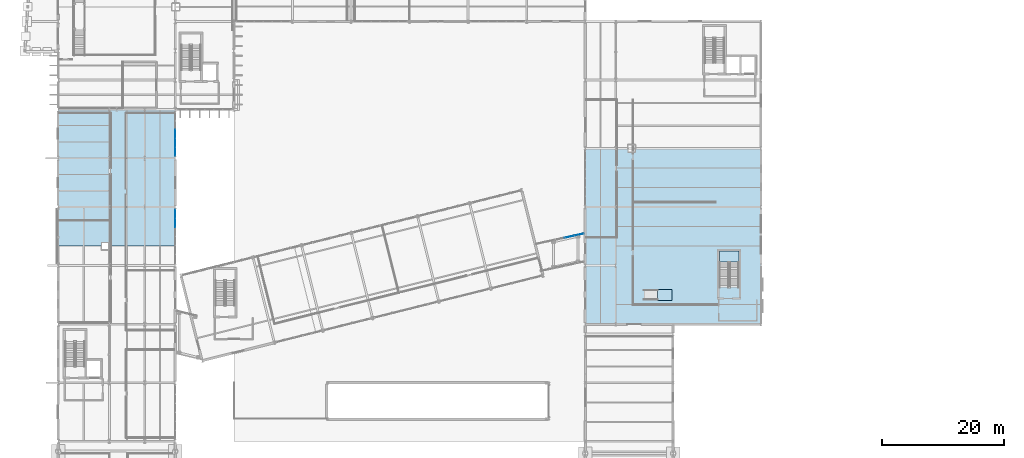
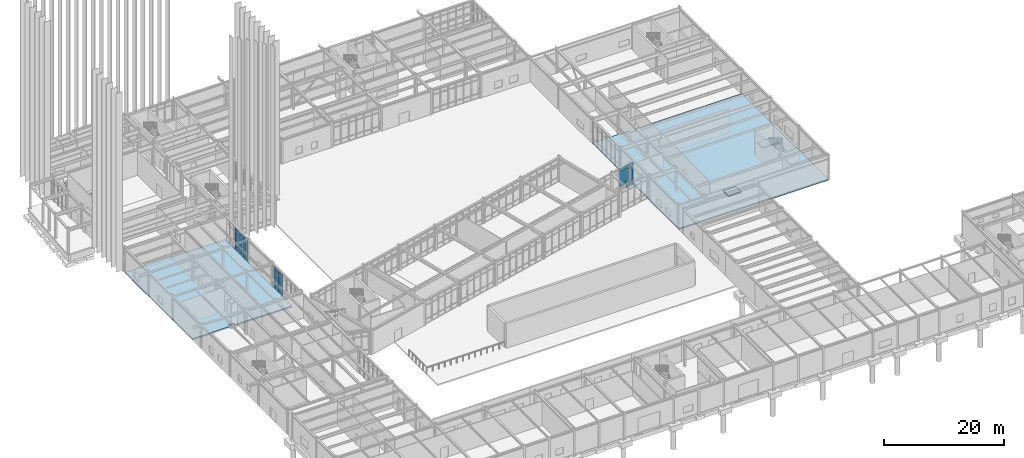
# One storey, part 71 of 109: 20 plates, 4 slabs, 4 elements without a shape of their own.
"""IFC4 building model written with IfcOpenShell, lengths in metres."""

from ifc_helpers import new_model, si_unit, direction, frame, origin, origin_2d, place, context, subcontext, project, spatial, polyline, rectangle, outline, extrude, material, layer, layer_set, type_object, element, aggregate, save


model = new_model("IFC4")

# Units and contexts
model_context = context("Model", 3, precision=1e-05, world=origin(), true_north=direction((0.0, 1.0)))
body_context = subcontext(model_context, "Body", "Model", "MODEL_VIEW")
ifc_project = project(units=[si_unit("LENGTHUNIT", "METRE"), si_unit("AREAUNIT", "SQUARE_METRE"), si_unit("VOLUMEUNIT", "CUBIC_METRE"), si_unit("PLANEANGLEUNIT", "RADIAN"), si_unit("MASSUNIT", "GRAM", prefix="KILO")], contexts=[model_context])

# Site, building, storey
site_placement = place(None, origin())
site = spatial("IfcSite", under=ifc_project, at=site_placement, CompositionType="ELEMENT")
building_placement = place(site_placement, origin())
building = spatial("IfcBuilding", under=site, at=building_placement, Name="Nordkorset Police Headquarters", CompositionType="ELEMENT")
storey_placement = place(building_placement, origin())
storey = spatial("IfcBuildingStorey", under=building, at=storey_placement, Name="L00", CompositionType="ELEMENT", Elevation=0.0)

# Curtain wall, plates
ifc_material_1 = material(Name="Aluminium alloy AW-6060", Category="aluminium")
ifc_layer_1 = layer(ifc_material_1, 0.179931640625, Name="Aluminium alloy AW-6060")
ifc_layer_set_1 = layer_set([ifc_layer_1], Name="Aluminium alloy AW-6060")
curtain_wall_type_1 = type_object("IfcCurtainWallType", Name="CW_Unit_888x454", PredefinedType="USERDEFINED", material=ifc_layer_set_1)
curtain_wall_1_placement = place(storey_placement, origin())
curtain_wall_1 = element("IfcCurtainWall", 1, at=curtain_wall_1_placement, inside=storey, type_object=curtain_wall_type_1, Name="Unitised Curtain Wall L00 V3E-3", ObjectType="UNITISED CURTAIN WALL", PredefinedType="USERDEFINED")
ifc_material_2 = material(Name="Low-iron triple glazing", Category="glass")
ifc_layer_2 = layer(ifc_material_2, 0.035888671875, Name="Low-iron triple glazing")
ifc_layer_set_2 = layer_set([ifc_layer_2], Name="Low-iron triple glazing")
plate_type = type_object("IfcPlateType", Name="CW_Panel_TripleGlazing_36", PredefinedType="CURTAIN_PANEL", material=ifc_layer_set_2)
plate_1_placement = place(storey_placement, frame((19.199951171875, 64.6201171875, 0.06494140625), z_axis=(0.0, 0.0, 1.0), x_axis=(0.0, 1.0, 0.0)))
plate_1 = element("IfcPlate", 2, at=plate_1_placement, type_object=plate_type, Name="CW-82 panel 5.1", PredefinedType="CURTAIN_PANEL", context=body_context, shape_type="SweptSolid", body=[
    extrude(rectangle(XDim=1.4150390625, YDim=0.035888671875, at=origin_2d()), origin(), (0.0, 0.0, 1.0), 0.902587890625),
])
plate_2_placement = place(storey_placement, frame((19.199951171875, 64.6201171875, 1.032470703125), z_axis=(0.0, 0.0, 1.0), x_axis=(0.0, 1.0, 0.0)))
plate_2 = element("IfcPlate", 3, at=plate_2_placement, type_object=plate_type, Name="CW-82 panel 5.2", PredefinedType="CURTAIN_PANEL", context=body_context, shape_type="SweptSolid", body=[
    extrude(rectangle(XDim=1.4150390625, YDim=0.035888671875, at=origin_2d()), origin(), (0.0, 0.0, 1.0), 2.625),
])
plate_3_placement = place(storey_placement, frame((19.199951171875, 64.6201171875, 3.722412109375), z_axis=(0.0, 0.0, 1.0), x_axis=(0.0, 1.0, 0.0)))
plate_3 = element("IfcPlate", 4, at=plate_3_placement, type_object=plate_type, Name="CW-82 panel 5.3", PredefinedType="CURTAIN_PANEL", context=body_context, shape_type="SweptSolid", body=[
    extrude(rectangle(XDim=1.4150390625, YDim=0.035888671875, at=origin_2d()), origin(), (0.0, 0.0, 1.0), 0.75244140625),
])
plate_4_placement = place(storey_placement, frame((19.199951171875, 66.083740234375, 0.06494140625), z_axis=(0.0, 0.0, 1.0), x_axis=(0.0, 1.0, 0.0)))
plate_4 = element("IfcPlate", 5, at=plate_4_placement, type_object=plate_type, Name="CW-82 panel 6.1", PredefinedType="CURTAIN_PANEL", context=body_context, shape_type="SweptSolid", body=[
    extrude(rectangle(XDim=1.382568359375, YDim=0.035888671875, at=origin_2d()), origin(), (0.0, 0.0, 1.0), 0.902587890625),
])
plate_5_placement = place(storey_placement, frame((19.199951171875, 66.083740234375, 1.032470703125), z_axis=(0.0, 0.0, 1.0), x_axis=(0.0, 1.0, 0.0)))
plate_5 = element("IfcPlate", 6, at=plate_5_placement, type_object=plate_type, Name="CW-82 panel 6.2", PredefinedType="CURTAIN_PANEL", context=body_context, shape_type="SweptSolid", body=[
    extrude(rectangle(XDim=1.382568359375, YDim=0.035888671875, at=origin_2d()), origin(), (0.0, 0.0, 1.0), 2.625),
])
plate_6_placement = place(storey_placement, frame((19.199951171875, 66.083740234375, 3.722412109375), z_axis=(0.0, 0.0, 1.0), x_axis=(0.0, 1.0, 0.0)))
plate_6 = element("IfcPlate", 7, at=plate_6_placement, type_object=plate_type, Name="CW-82 panel 6.3", PredefinedType="CURTAIN_PANEL", context=body_context, shape_type="SweptSolid", body=[
    extrude(rectangle(XDim=1.382568359375, YDim=0.035888671875, at=origin_2d()), origin(), (0.0, 0.0, 1.0), 0.75244140625),
])
aggregate(curtain_wall_1, [plate_1, plate_2, plate_3, plate_4, plate_5, plate_6])

ifc_material_3 = material(Name="Aluminium alloy AW-6060", Category="aluminium")
ifc_layer_3 = layer(ifc_material_3, 0.179931640625, Name="Aluminium alloy AW-6060")
ifc_layer_set_3 = layer_set([ifc_layer_3], Name="Aluminium alloy AW-6060")
curtain_wall_type_2 = type_object("IfcCurtainWallType", Name="CW_Unit_728x454", PredefinedType="USERDEFINED", material=ifc_layer_set_3)
curtain_wall_2_placement = place(storey_placement, origin())
curtain_wall_2 = element("IfcCurtainWall", 8, at=curtain_wall_2_placement, inside=storey, type_object=curtain_wall_type_2, Name="Unitised Curtain Wall L00 V3E-5", ObjectType="UNITISED CURTAIN WALL", PredefinedType="USERDEFINED")
plate_7_placement = place(storey_placement, frame((19.199951171875, 76.30419921875, 0.06494140625), z_axis=(0.0, 0.0, 1.0), x_axis=(0.0, 1.0, 0.0)))
plate_7 = element("IfcPlate", 9, at=plate_7_placement, type_object=plate_type, Name="CW-50 panel 1.1", PredefinedType="CURTAIN_PANEL", context=body_context, shape_type="SweptSolid", body=[
    extrude(rectangle(XDim=1.3583984375, YDim=0.035888671875, at=origin_2d()), origin(), (0.0, 0.0, 1.0), 0.902587890625),
])
plate_8_placement = place(storey_placement, frame((19.199951171875, 76.30419921875, 1.032470703125), z_axis=(0.0, 0.0, 1.0), x_axis=(0.0, 1.0, 0.0)))
plate_8 = element("IfcPlate", 10, at=plate_8_placement, type_object=plate_type, Name="CW-50 panel 1.2", PredefinedType="CURTAIN_PANEL", context=body_context, shape_type="SweptSolid", body=[
    extrude(rectangle(XDim=1.3583984375, YDim=0.035888671875, at=origin_2d()), origin(), (0.0, 0.0, 1.0), 2.625),
])
plate_9_placement = place(storey_placement, frame((19.199951171875, 76.30419921875, 3.722412109375), z_axis=(0.0, 0.0, 1.0), x_axis=(0.0, 1.0, 0.0)))
plate_9 = element("IfcPlate", 11, at=plate_9_placement, type_object=plate_type, Name="CW-50 panel 1.3", PredefinedType="CURTAIN_PANEL", context=body_context, shape_type="SweptSolid", body=[
    extrude(rectangle(XDim=1.3583984375, YDim=0.035888671875, at=origin_2d()), origin(), (0.0, 0.0, 1.0), 0.75244140625),
])
plate_10_placement = place(storey_placement, frame((19.199951171875, 77.743896484375, 0.06494140625), z_axis=(0.0, 0.0, 1.0), x_axis=(0.0, 1.0, 0.0)))
plate_10 = element("IfcPlate", 12, at=plate_10_placement, type_object=plate_type, Name="CW-50 panel 2.1", PredefinedType="CURTAIN_PANEL", context=body_context, shape_type="SweptSolid", body=[
    extrude(rectangle(XDim=1.39111328125, YDim=0.035888671875, at=origin_2d()), origin(), (0.0, 0.0, 1.0), 0.902587890625),
])
plate_11_placement = place(storey_placement, frame((19.199951171875, 77.743896484375, 1.032470703125), z_axis=(0.0, 0.0, 1.0), x_axis=(0.0, 1.0, 0.0)))
plate_11 = element("IfcPlate", 13, at=plate_11_placement, type_object=plate_type, Name="CW-50 panel 2.2", PredefinedType="CURTAIN_PANEL", context=body_context, shape_type="SweptSolid", body=[
    extrude(rectangle(XDim=1.39111328125, YDim=0.035888671875, at=origin_2d()), origin(), (0.0, 0.0, 1.0), 2.625),
])
plate_12_placement = place(storey_placement, frame((19.199951171875, 77.743896484375, 3.722412109375), z_axis=(0.0, 0.0, 1.0), x_axis=(0.0, 1.0, 0.0)))
plate_12 = element("IfcPlate", 14, at=plate_12_placement, type_object=plate_type, Name="CW-50 panel 2.3", PredefinedType="CURTAIN_PANEL", context=body_context, shape_type="SweptSolid", body=[
    extrude(rectangle(XDim=1.39111328125, YDim=0.035888671875, at=origin_2d()), origin(), (0.0, 0.0, 1.0), 0.75244140625),
])
plate_13_placement = place(storey_placement, frame((19.199951171875, 79.199951171875, 0.06494140625), z_axis=(0.0, 0.0, 1.0), x_axis=(0.0, 1.0, 0.0)))
plate_13 = element("IfcPlate", 15, at=plate_13_placement, type_object=plate_type, Name="CW-50 panel 3.1", PredefinedType="CURTAIN_PANEL", context=body_context, shape_type="SweptSolid", body=[
    extrude(rectangle(XDim=1.39111328125, YDim=0.035888671875, at=origin_2d()), origin(), (0.0, 0.0, 1.0), 0.902587890625),
])
plate_14_placement = place(storey_placement, frame((19.199951171875, 79.199951171875, 1.032470703125), z_axis=(0.0, 0.0, 1.0), x_axis=(0.0, 1.0, 0.0)))
plate_14 = element("IfcPlate", 16, at=plate_14_placement, type_object=plate_type, Name="CW-50 panel 3.2", PredefinedType="CURTAIN_PANEL", context=body_context, shape_type="SweptSolid", body=[
    extrude(rectangle(XDim=1.39111328125, YDim=0.035888671875, at=origin_2d()), origin(), (0.0, 0.0, 1.0), 2.625),
])
plate_15_placement = place(storey_placement, frame((19.199951171875, 79.199951171875, 3.722412109375), z_axis=(0.0, 0.0, 1.0), x_axis=(0.0, 1.0, 0.0)))
plate_15 = element("IfcPlate", 17, at=plate_15_placement, type_object=plate_type, Name="CW-50 panel 3.3", PredefinedType="CURTAIN_PANEL", context=body_context, shape_type="SweptSolid", body=[
    extrude(rectangle(XDim=1.39111328125, YDim=0.035888671875, at=origin_2d()), origin(), (0.0, 0.0, 1.0), 0.75244140625),
])
aggregate(curtain_wall_2, [plate_7, plate_8, plate_9, plate_10, plate_11, plate_12, plate_13, plate_14, plate_15])

ifc_material_4 = material(Name="Aluminium alloy AW-6060", Category="aluminium")
ifc_layer_4 = layer(ifc_material_4, 0.179931640625, Name="Aluminium alloy AW-6060")
ifc_layer_set_4 = layer_set([ifc_layer_4], Name="Aluminium alloy AW-6060")
curtain_wall_type_3 = type_object("IfcCurtainWallType", Name="CW_Unit_809x468", PredefinedType="USERDEFINED", material=ifc_layer_set_4)
curtain_wall_3_placement = place(storey_placement, origin())
curtain_wall_3 = element("IfcCurtainWall", 18, at=curtain_wall_3_placement, inside=storey, type_object=curtain_wall_type_3, Name="Unitised Curtain Wall L00 BRGE-N", ObjectType="UNITISED CURTAIN WALL", PredefinedType="USERDEFINED")
plate_16_placement = place(storey_placement, frame((83.8046875, 62.33154296875, 1.032470703125), z_axis=(0.0, 0.0, 1.0), x_axis=(0.976768327939, 0.214298001706, 0.0)))
plate_16 = element("IfcPlate", 19, at=plate_16_placement, type_object=plate_type, Name="CW-59 panel 4.2", PredefinedType="CURTAIN_PANEL", context=body_context, shape_type="SweptSolid", body=[
    extrude(rectangle(XDim=1.55224609375, YDim=0.035888671875, at=origin_2d()), origin(), (0.0, 0.0, 1.0), 2.77001953125),
])
plate_17_placement = place(storey_placement, frame((83.8046875, 62.33154296875, 3.867431640625), z_axis=(0.0, 0.0, 1.0), x_axis=(0.976768327939, 0.214298001706, 0.0)))
plate_17 = element("IfcPlate", 20, at=plate_17_placement, type_object=plate_type, Name="CW-59 panel 4.3", PredefinedType="CURTAIN_PANEL", context=body_context, shape_type="SweptSolid", body=[
    extrude(rectangle(XDim=1.55224609375, YDim=0.035888671875, at=origin_2d()), origin(), (0.0, 0.0, 1.0), 0.75244140625),
])
plate_18_placement = place(storey_placement, frame((85.368408203125, 62.674560546875, 0.06494140625), z_axis=(0.0, 0.0, 1.0), x_axis=(0.976768327939, 0.214298001706, 0.0)))
plate_18 = element("IfcPlate", 21, at=plate_18_placement, type_object=plate_type, Name="CW-59 panel 5.1", PredefinedType="CURTAIN_PANEL", context=body_context, shape_type="SweptSolid", body=[
    extrude(rectangle(XDim=1.519775390625, YDim=0.035888671875, at=origin_2d()), origin(), (0.0, 0.0, 1.0), 0.902587890625),
])
plate_19_placement = place(storey_placement, frame((85.368408203125, 62.674560546875, 1.032470703125), z_axis=(0.0, 0.0, 1.0), x_axis=(0.976768327939, 0.214298001706, 0.0)))
plate_19 = element("IfcPlate", 22, at=plate_19_placement, type_object=plate_type, Name="CW-59 panel 5.2", PredefinedType="CURTAIN_PANEL", context=body_context, shape_type="SweptSolid", body=[
    extrude(rectangle(XDim=1.519775390625, YDim=0.035888671875, at=origin_2d()), origin(), (0.0, 0.0, 1.0), 2.77001953125),
])
plate_20_placement = place(storey_placement, frame((85.368408203125, 62.674560546875, 3.867431640625), z_axis=(0.0, 0.0, 1.0), x_axis=(0.976768327939, 0.214298001706, 0.0)))
plate_20 = element("IfcPlate", 23, at=plate_20_placement, type_object=plate_type, Name="CW-59 panel 5.3", PredefinedType="CURTAIN_PANEL", context=body_context, shape_type="SweptSolid", body=[
    extrude(rectangle(XDim=1.519775390625, YDim=0.035888671875, at=origin_2d()), origin(), (0.0, 0.0, 1.0), 0.75244140625),
])
aggregate(curtain_wall_3, [plate_16, plate_17, plate_18, plate_19, plate_20])

# Slabs
ifc_material_5 = material(Name="Concrete C35/45", Category="concrete")
ifc_layer_5 = layer(ifc_material_5, 0.199951171875, Name="Concrete C35/45")
ifc_layer_set_5 = layer_set([ifc_layer_5], Name="Concrete C35/45")
slab_type_1 = type_object("IfcSlabType", Name="Slab_DaisPlatform_200", PredefinedType="LANDING", material=ifc_layer_set_5)
slab_1_placement = place(storey_placement, frame((0.0, 0.0, -0.06005859375)))
element("IfcSlab", 24, at=slab_1_placement, inside=storey, type_object=slab_type_1, Name="Patrol Briefing Dais Ramp Dais Landing", PredefinedType="LANDING", context=body_context, shape_type="SweptSolid", body=[
    extrude(outline(polyline([(98.22998046875, 51.89990234375), (100.639892578125, 51.89990234375), (100.639892578125, 53.699951171875), (98.22998046875, 53.699951171875), (98.22998046875, 51.89990234375)])), origin(), (0.0, 0.0, 1.0), 0.199951171875),
])
ifc_material_6 = material(Name="Concrete C35/45", Category="concrete")
ifc_layer_6 = layer(ifc_material_6, 0.27001953125, Name="Concrete C35/45")
ifc_layer_set_6 = layer_set([ifc_layer_6], Name="Concrete C35/45")
slab_type_2 = type_object("IfcSlabType", Name="Slab_Ground_270", PredefinedType="FLOOR", material=ifc_layer_set_6)
slab_2_placement = place(storey_placement, frame((0.0, 0.0, -0.27001953125)))
element("IfcSlab", 25, at=slab_2_placement, inside=storey, type_object=slab_type_2, Name="Composite Floor Slab V3 North L00", PredefinedType="FLOOR", context=body_context, shape_type="SweptSolid", body=[
    extrude(outline(polyline([(0.0, 60.802001953125), (7.199951171875, 60.802001953125), (7.199951171875, 61.300048828125), (8.199951171875, 61.300048828125), (8.199951171875, 60.802001953125), (19.199951171875, 60.802001953125), (19.199951171875, 83.197998046875), (0.0, 83.197998046875), (0.0, 60.802001953125)])), origin(), (0.0, 0.0, 1.0), 0.27001953125),
])
slab_3_placement = place(storey_placement, frame((0.0, 0.0, -0.27001953125)))
element("IfcSlab", 26, at=slab_3_placement, inside=storey, type_object=slab_type_2, Name="Composite Floor Slab V5 South L00", PredefinedType="FLOOR", context=body_context, shape_type="SweptSolid", body=[
    extrude(outline(polyline([(86.405029296875, 48.0), (115.199951171875, 48.0), (115.199951171875, 76.800048828125), (94.5, 76.800048828125), (94.5, 76.300048828125), (93.5, 76.300048828125), (93.5, 76.800048828125), (86.405029296875, 76.800048828125), (86.405029296875, 48.0)])), origin(), (0.0, 0.0, 1.0), 0.27001953125),
])

# Stair, slab
ifc_material_7 = material(Name="Concrete C35/45", Category="concrete")
stair_type = type_object("IfcStairType", Name="ST-52", PredefinedType="HALF_TURN_STAIR", material=ifc_material_7)
stair_placement = place(storey_placement, origin())
stair = element("IfcStair", 27, at=stair_placement, inside=storey, type_object=stair_type, Name="L00 Protected Escape Stair ST-09", PredefinedType="HALF_TURN_STAIR")
ifc_material_8 = material(Name="Concrete C35/45", Category="concrete")
ifc_layer_7 = layer(ifc_material_8, 0.199951171875, Name="Concrete C35/45")
ifc_layer_set_7 = layer_set([ifc_layer_7], Name="Concrete C35/45")
slab_type_3 = type_object("IfcSlabType", Name="Slab_StairLanding_200", PredefinedType="LANDING", material=ifc_layer_set_7)
slab_4_placement = place(storey_placement, frame((0.0, 0.0, 2.425048828125)))
slab_4 = element("IfcSlab", 28, at=slab_4_placement, type_object=slab_type_3, Name="ST-09 landing 1", PredefinedType="LANDING", context=body_context, shape_type="SweptSolid", body=[
    extrude(outline(polyline([(111.574951171875, 58.155029296875), (111.574951171875, 59.97509765625), (108.375, 59.97509765625), (108.375, 58.155029296875), (111.574951171875, 58.155029296875)])), origin(), (0.0, 0.0, 1.0), 0.199951171875),
])
aggregate(stair, [slab_4])

save(model, "model.ifc")
